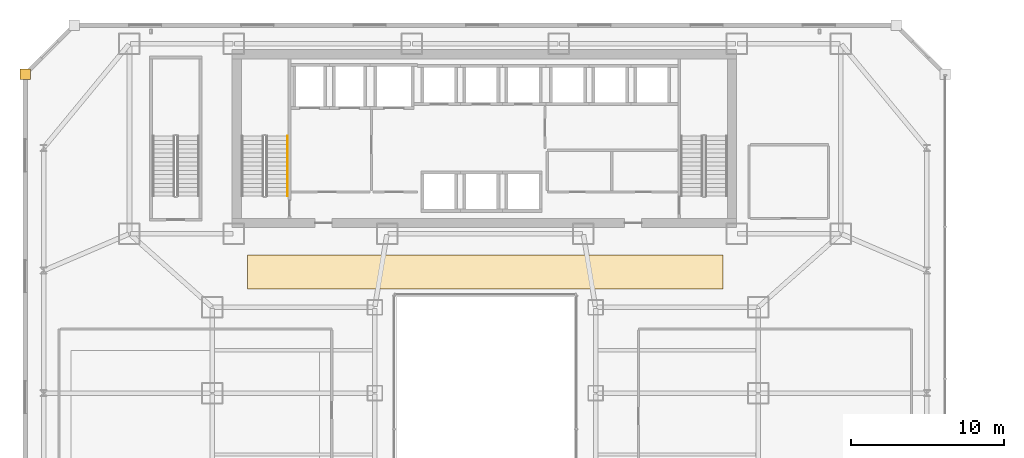
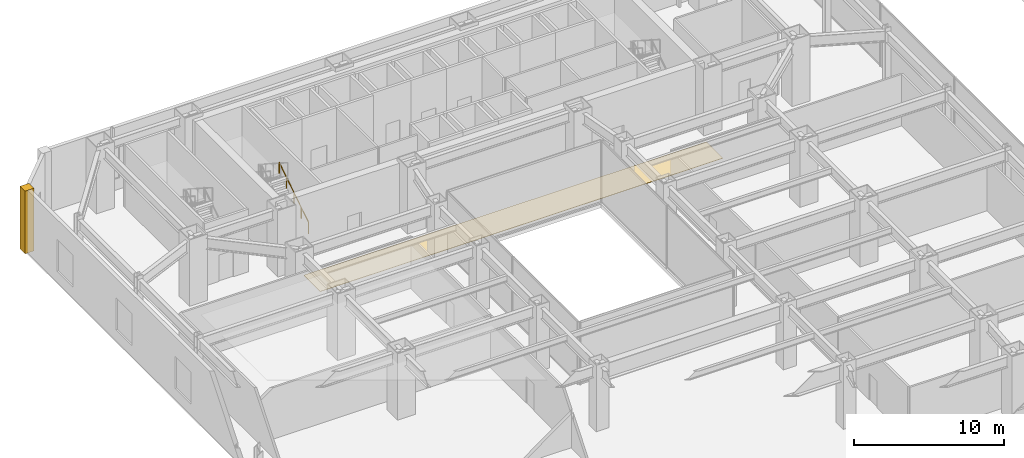
# One storey, part 47 of 52: 2 coverings, 1 railing.
"""IFC4 building model written with IfcOpenShell, lengths in metres."""

from ifc_helpers import new_model, si_unit, direction, frame, origin, origin_2d, place, context, subcontext, project, spatial, polyline, circle, outline, extrude, material, layer, layer_set, type_object, element, save


model = new_model("IFC4")

# Units and contexts
model_context = context("Model", 3, precision=1e-05, world=origin(), true_north=direction((0.0, 1.0)))
body_context = subcontext(model_context, "Body", "Model", "MODEL_VIEW")
ifc_project = project(units=[si_unit("LENGTHUNIT", "METRE"), si_unit("AREAUNIT", "SQUARE_METRE"), si_unit("VOLUMEUNIT", "CUBIC_METRE"), si_unit("PLANEANGLEUNIT", "RADIAN"), si_unit("MASSUNIT", "GRAM", prefix="KILO")], contexts=[model_context])

# Site, building, storey
site_placement = place(None, origin())
site = spatial("IfcSite", under=ifc_project, at=site_placement, CompositionType="ELEMENT")
building_placement = place(site_placement, origin())
building = spatial("IfcBuilding", under=site, at=building_placement, Name="Saevonmaru Cultural Tower", CompositionType="ELEMENT")
storey_placement = place(building_placement, frame((0.0, 0.0, 16.800048828125)))
storey = spatial("IfcBuildingStorey", under=building, at=storey_placement, Name="L03", CompositionType="ELEMENT", Elevation=16.800048828125)

# Coverings
ifc_material_1 = material(Name="Satin Bronze Anodised Aluminium", Category="aluminium")
ifc_layer_1 = layer(ifc_material_1, 0.679931640625, Name="Satin Bronze Anodised Aluminium")
ifc_layer_set_1 = layer_set([ifc_layer_1], Name="Satin Bronze Anodised Aluminium")
covering_type_1 = type_object("IfcCoveringType", Name="CV-CORNER-CLAD", PredefinedType="CLADDING", material=ifc_layer_set_1)
covering_1_placement = place(storey_placement, origin())
element("IfcCovering", 1, at=covering_1_placement, inside=storey, type_object=covering_type_1, Name="L03 Podium Bronze Corner Cladding Pier 8", PredefinedType="CLADDING", context=body_context, shape_type="SweptSolid", body=[
    extrude(outline(polyline([(-0.340087890625, 52.4599609375), (0.340087890625, 52.4599609375), (0.340087890625, 53.139892578125), (-0.340087890625, 53.139892578125), (-0.340087890625, 52.4599609375)])), origin(), (0.0, 0.0, 1.0), 5.099853515625),
])
ifc_material_2 = material(Name="Honed Granite Terrazzo", Category="masonry")
ifc_layer_2 = layer(ifc_material_2, 0.030029296875, Name="Honed Granite Terrazzo")
ifc_layer_set_2 = layer_set([ifc_layer_2], Name="Honed Granite Terrazzo")
covering_type_2 = type_object("IfcCoveringType", Name="CV-FLR-TERRAZZO", PredefinedType="FLOORING", material=ifc_layer_set_2)
covering_2_placement = place(storey_placement, origin())
element("IfcCovering", 2, at=covering_2_placement, inside=storey, type_object=covering_type_2, Name="L03 Foyer Granite Terrazzo Flooring", PredefinedType="FLOORING", context=body_context, shape_type="SweptSolid", body=[
    extrude(outline(polyline([(14.5, 38.800048828125), (45.5, 38.800048828125), (45.5, 41.0), (14.5, 41.0), (14.5, 38.800048828125)])), origin(), (0.0, 0.0, 1.0), 0.030029296875),
])

# Railing
railing_type = type_object("IfcRailingType", Name="RL-STAIR-HANDRAIL", PredefinedType="HANDRAIL", material=ifc_material_1)
railing_placement = place(storey_placement, frame((17.10009765625, 44.85009765625, 0.179931640625)))
element("IfcRailing", 3, at=railing_placement, inside=storey, type_object=railing_type, Name="L03 ST-1 stair handrail 1", PredefinedType="HANDRAIL", context=body_context, shape_type="SweptSolid", body=[
    extrude(circle(Radius=0.02392578125, at=origin_2d()), frame((0.0, 0.0, 0.8759765625), z_axis=(0.0, 0.841171666519, 0.540768182723), x_axis=(-1.0, 0.0, 0.0)), (0.0, 0.0, 1.0), 4.66015625),
    extrude(circle(Radius=0.02099609375, at=origin_2d()), origin(), (0.0, 0.0, 1.0), 0.851806640625),
    extrude(circle(Radius=0.02099609375, at=origin_2d()), frame((0.0, 0.97998046875, 0.6298828125)), (0.0, 0.0, 1.0), 0.851806640625),
    extrude(circle(Radius=0.02099609375, at=origin_2d()), frame((0.0, 1.9599609375, 1.260009765625)), (0.0, 0.0, 1.0), 0.851806640625),
    extrude(circle(Radius=0.02099609375, at=origin_2d()), frame((0.0, 2.93994140625, 1.89013671875)), (0.0, 0.0, 1.0), 0.851806640625),
    extrude(circle(Radius=0.02099609375, at=origin_2d()), frame((0.0, 3.919921875, 2.52001953125)), (0.0, 0.0, 1.0), 0.851806640625),
])

save(model, "model.ifc")
